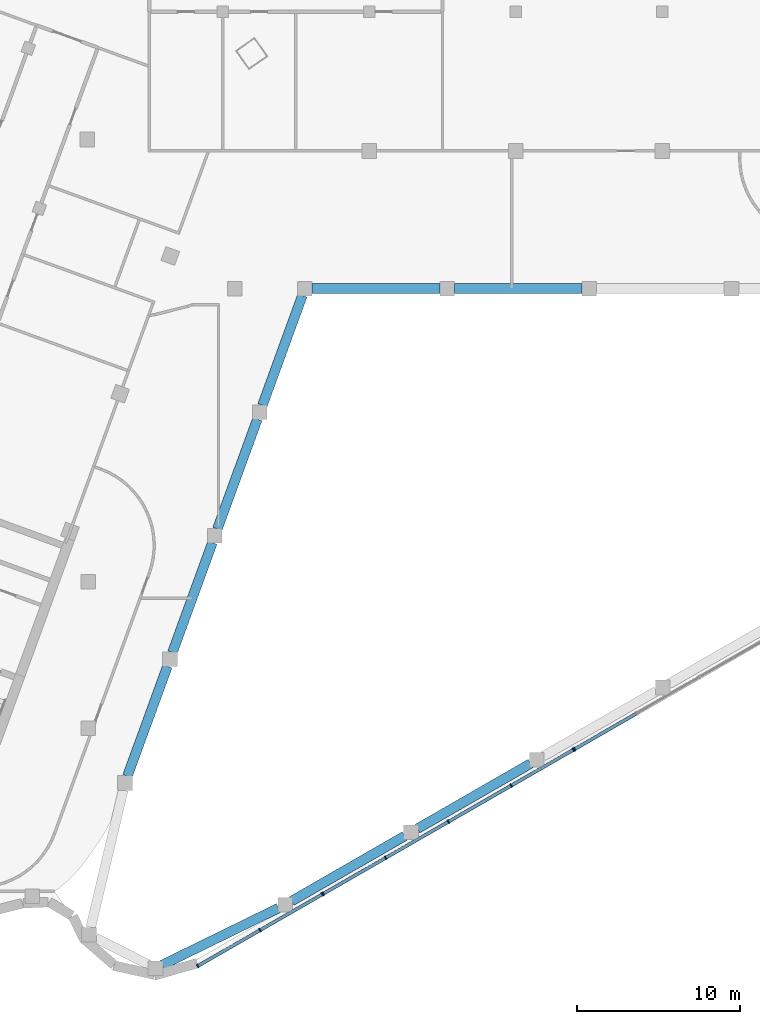
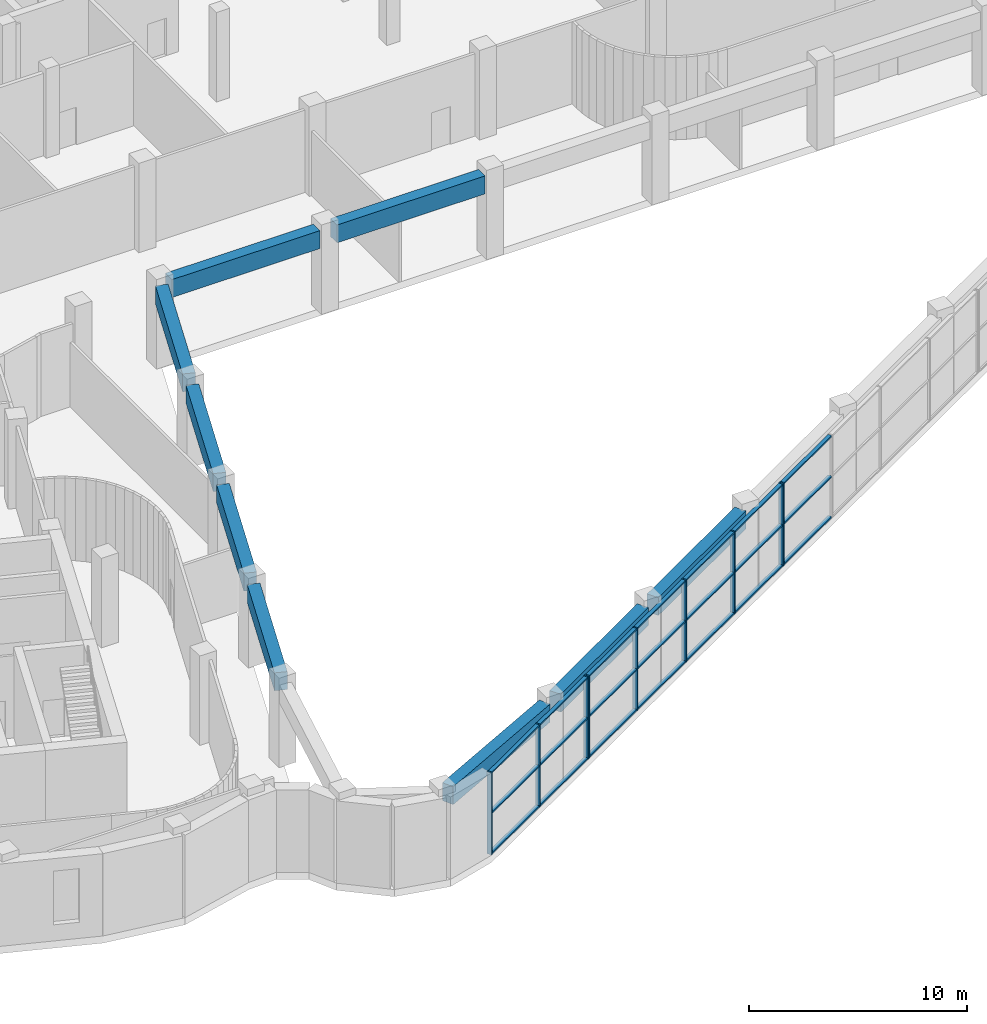
# One storey, part 3 of 25: 30 members, 9 beams, 3 elements without a shape of their own.
"""IFC4 building model written with IfcOpenShell, lengths in metres."""

from ifc_helpers import new_model, si_unit, direction, frame, origin, origin_2d, place, context, subcontext, project, spatial, rectangle, extrude, material, material_profile, profile_set, type_object, element, aggregate, save


model = new_model("IFC4")

# Units and contexts
model_context = context("Model", 3, precision=1e-05, world=origin(), true_north=direction((0.0, 1.0)))
body_context = subcontext(model_context, "Body", "Model", "MODEL_VIEW")
ifc_project = project(units=[si_unit("LENGTHUNIT", "METRE"), si_unit("AREAUNIT", "SQUARE_METRE"), si_unit("VOLUMEUNIT", "CUBIC_METRE"), si_unit("PLANEANGLEUNIT", "RADIAN"), si_unit("MASSUNIT", "GRAM", prefix="KILO")], contexts=[model_context])

# Site, building, storey
site_placement = place(None, origin())
site = spatial("IfcSite", under=ifc_project, at=site_placement, CompositionType="ELEMENT")
building_placement = place(site_placement, origin())
building = spatial("IfcBuilding", under=site, at=building_placement, Name="Skarvind Civic Tower", CompositionType="ELEMENT")
storey_placement = place(building_placement, frame((0.0, 0.0, 7.5)))
storey = spatial("IfcBuildingStorey", under=building, at=storey_placement, Name="L01", CompositionType="ELEMENT", Elevation=7.5)

# Curtain wall, member
ifc_material_1 = material(Name="Aluminium alloy 6063 and laminated glass", Category="aluminium")
curtain_wall_type = type_object("IfcCurtainWallType", Name="CW1 PUBLIC HALL GLAZING", PredefinedType="NOTDEFINED", material=ifc_material_1)
curtain_wall_1_placement = place(storey_placement, origin())
curtain_wall_1 = element("IfcCurtainWall", 1, at=curtain_wall_1_placement, inside=storey, type_object=curtain_wall_type, Name="PUBLIC SERVICE HALL GLAZING", PredefinedType="NOTDEFINED")
ifc_material_2 = material(Name="Aluminium alloy 6063", Category="aluminium")
ifc_material_profile_1 = material_profile(ifc_material_2, rectangle(XDim=0.239990234375, YDim=0.080078125, at=origin_2d()), Name="AL 80x240")
ifc_profile_set_1 = profile_set([ifc_material_profile_1], Name="Aluminium alloy 6063")
member_type_1 = type_object("IfcMemberType", Name="CW1 MULLION 80x240", PredefinedType="MULLION", material=ifc_profile_set_1)
member_1_placement = place(storey_placement, frame((75.8603515625, 80.729736328125, 0.0), z_axis=(0.0, 0.0, 1.0), x_axis=(0.498825416846, -0.866702488463, 0.0)))
member_1 = element("IfcMember", 2, at=member_1_placement, type_object=member_type_1, Name="CW1 mullion 5", PredefinedType="MULLION", context=body_context, shape_type="SweptSolid", body=[
    extrude(rectangle(XDim=0.239990234375, YDim=0.080078125, at=origin_2d()), origin(), (0.0, 0.0, 1.0), 4.60009765625),
])

# Curtain wall, members
curtain_wall_2_placement = place(storey_placement, origin())
curtain_wall_2 = element("IfcCurtainWall", 3, at=curtain_wall_2_placement, inside=storey, type_object=curtain_wall_type, Name="PUBLIC SERVICE HALL GLAZING", PredefinedType="NOTDEFINED")
member_2_placement = place(storey_placement, frame((75.791015625, 80.68994140625, 0.0), z_axis=(0.0, 0.0, 1.0), x_axis=(0.498825416846, -0.866702488463, 0.0)))
member_2 = element("IfcMember", 4, at=member_2_placement, type_object=member_type_1, Name="CW1 mullion 1", PredefinedType="MULLION", context=body_context, shape_type="SweptSolid", body=[
    extrude(rectangle(XDim=0.239990234375, YDim=0.080078125, at=origin_2d()), origin(), (0.0, 0.0, 1.0), 4.60009765625),
])
member_3_placement = place(storey_placement, frame((71.969970703125, 78.49072265625, 0.0), z_axis=(0.0, 0.0, 1.0), x_axis=(0.498825416846, -0.866702488463, 0.0)))
member_3 = element("IfcMember", 5, at=member_3_placement, type_object=member_type_1, Name="CW1 mullion 2", PredefinedType="MULLION", context=body_context, shape_type="SweptSolid", body=[
    extrude(rectangle(XDim=0.239990234375, YDim=0.080078125, at=origin_2d()), origin(), (0.0, 0.0, 1.0), 4.60009765625),
])
member_4_placement = place(storey_placement, frame((68.1142578125, 76.271484375, 0.0), z_axis=(0.0, 0.0, 1.0), x_axis=(0.498825416846, -0.866702488463, 0.0)))
member_4 = element("IfcMember", 6, at=member_4_placement, type_object=member_type_1, Name="CW1 mullion 3", PredefinedType="MULLION", context=body_context, shape_type="SweptSolid", body=[
    extrude(rectangle(XDim=0.239990234375, YDim=0.080078125, at=origin_2d()), origin(), (0.0, 0.0, 1.0), 4.60009765625),
])
member_5_placement = place(storey_placement, frame((64.258544921875, 74.052490234375, 0.0), z_axis=(0.0, 0.0, 1.0), x_axis=(0.498825416846, -0.866702488463, 0.0)))
member_5 = element("IfcMember", 7, at=member_5_placement, type_object=member_type_1, Name="CW1 mullion 4", PredefinedType="MULLION", context=body_context, shape_type="SweptSolid", body=[
    extrude(rectangle(XDim=0.239990234375, YDim=0.080078125, at=origin_2d()), origin(), (0.0, 0.0, 1.0), 4.60009765625),
])
member_6_placement = place(storey_placement, frame((60.4375, 71.853271484375, 0.0), z_axis=(0.0, 0.0, 1.0), x_axis=(0.498825416846, -0.866702488463, 0.0)))
member_6 = element("IfcMember", 8, at=member_6_placement, type_object=member_type_1, Name="CW1 mullion 5", PredefinedType="MULLION", context=body_context, shape_type="SweptSolid", body=[
    extrude(rectangle(XDim=0.239990234375, YDim=0.080078125, at=origin_2d()), origin(), (0.0, 0.0, 1.0), 4.60009765625),
])

curtain_wall_3_placement = place(storey_placement, origin())
curtain_wall_3 = element("IfcCurtainWall", 9, at=curtain_wall_3_placement, inside=storey, type_object=curtain_wall_type, Name="PUBLIC SERVICE HALL GLAZING", PredefinedType="NOTDEFINED")
member_7_placement = place(storey_placement, frame((60.3681640625, 71.813232421875, 0.0), z_axis=(0.0, 0.0, 1.0), x_axis=(0.498829638128, -0.866700058916, 0.0)))
member_7 = element("IfcMember", 10, at=member_7_placement, type_object=member_type_1, Name="CW1 mullion 1", PredefinedType="MULLION", context=body_context, shape_type="SweptSolid", body=[
    extrude(rectangle(XDim=0.239990234375, YDim=0.080078125, at=origin_2d()), origin(), (0.0, 0.0, 1.0), 4.60009765625),
])
member_8_placement = place(storey_placement, frame((56.547119140625, 69.6142578125, 0.0), z_axis=(0.0, 0.0, 1.0), x_axis=(0.498829638128, -0.866700058916, 0.0)))
member_8 = element("IfcMember", 11, at=member_8_placement, type_object=member_type_1, Name="CW1 mullion 2", PredefinedType="MULLION", context=body_context, shape_type="SweptSolid", body=[
    extrude(rectangle(XDim=0.239990234375, YDim=0.080078125, at=origin_2d()), origin(), (0.0, 0.0, 1.0), 4.60009765625),
])
member_9_placement = place(storey_placement, frame((52.72607421875, 67.4150390625, 0.0), z_axis=(0.0, 0.0, 1.0), x_axis=(0.498829638128, -0.866700058916, 0.0)))
member_9 = element("IfcMember", 12, at=member_9_placement, type_object=member_type_1, Name="CW1 mullion 3", PredefinedType="MULLION", context=body_context, shape_type="SweptSolid", body=[
    extrude(rectangle(XDim=0.239990234375, YDim=0.080078125, at=origin_2d()), origin(), (0.0, 0.0, 1.0), 4.60009765625),
])

# Member
ifc_material_profile_2 = material_profile(ifc_material_2, rectangle(XDim=0.199951171875, YDim=0.080078125, at=origin_2d()), Name="AL 80x200")
ifc_profile_set_2 = profile_set([ifc_material_profile_2], Name="Aluminium alloy 6063")
member_type_2 = type_object("IfcMemberType", Name="CW1 TRANSOM 80x200", PredefinedType="USERDEFINED", material=ifc_profile_set_2)
member_10_placement = place(storey_placement, frame((79.646728515625, 82.908935546875, 0.0400390625), z_axis=(-0.866711867477, -0.498809120581, 0.0), x_axis=(0.498809120581, -0.866711867477, 0.0)))
member_10 = element("IfcMember", 13, at=member_10_placement, type_object=member_type_2, Name="CW1 transom 4.1", ObjectType="TRANSOM", PredefinedType="USERDEFINED", context=body_context, shape_type="SweptSolid", body=[
    extrude(rectangle(XDim=0.199951171875, YDim=0.080078125, at=origin_2d()), origin(), (0.0, 0.0, 1.0), 4.32861328125),
])

member_11_placement = place(storey_placement, frame((79.646728515625, 82.908935546875, 2.300048828125), z_axis=(-0.866711867477, -0.498809120581, 0.0), x_axis=(0.498809120581, -0.866711867477, 0.0)))
member_11 = element("IfcMember", 14, at=member_11_placement, type_object=member_type_2, Name="CW1 transom 4.2", ObjectType="TRANSOM", PredefinedType="USERDEFINED", context=body_context, shape_type="SweptSolid", body=[
    extrude(rectangle(XDim=0.199951171875, YDim=0.080078125, at=origin_2d()), origin(), (0.0, 0.0, 1.0), 4.32861328125),
])

member_12_placement = place(storey_placement, frame((79.646728515625, 82.908935546875, 4.56005859375), z_axis=(-0.866711867477, -0.498809120581, 0.0), x_axis=(0.498809120581, -0.866711867477, 0.0)))
member_12 = element("IfcMember", 15, at=member_12_placement, type_object=member_type_2, Name="CW1 transom 4.3", ObjectType="TRANSOM", PredefinedType="USERDEFINED", context=body_context, shape_type="SweptSolid", body=[
    extrude(rectangle(XDim=0.199951171875, YDim=0.080078125, at=origin_2d()), origin(), (0.0, 0.0, 1.0), 4.32861328125),
])

aggregate(curtain_wall_1, [member_1, member_10, member_11, member_12])

member_13_placement = place(storey_placement, frame((75.75634765625, 80.669921875, 0.0400390625), z_axis=(-0.866711867477, -0.498809120581, 0.0), x_axis=(0.498809120581, -0.866711867477, 0.0)))
member_13 = element("IfcMember", 16, at=member_13_placement, type_object=member_type_2, Name="CW1 transom 1.1", ObjectType="TRANSOM", PredefinedType="USERDEFINED", context=body_context, shape_type="SweptSolid", body=[
    extrude(rectangle(XDim=0.199951171875, YDim=0.080078125, at=origin_2d()), origin(), (0.0, 0.0, 1.0), 4.32861328125),
])

member_14_placement = place(storey_placement, frame((75.75634765625, 80.669921875, 2.300048828125), z_axis=(-0.866711867477, -0.498809120581, 0.0), x_axis=(0.498809120581, -0.866711867477, 0.0)))
member_14 = element("IfcMember", 17, at=member_14_placement, type_object=member_type_2, Name="CW1 transom 1.2", ObjectType="TRANSOM", PredefinedType="USERDEFINED", context=body_context, shape_type="SweptSolid", body=[
    extrude(rectangle(XDim=0.199951171875, YDim=0.080078125, at=origin_2d()), origin(), (0.0, 0.0, 1.0), 4.32861328125),
])

member_15_placement = place(storey_placement, frame((75.75634765625, 80.669921875, 4.56005859375), z_axis=(-0.866711867477, -0.498809120581, 0.0), x_axis=(0.498809120581, -0.866711867477, 0.0)))
member_15 = element("IfcMember", 18, at=member_15_placement, type_object=member_type_2, Name="CW1 transom 1.3", ObjectType="TRANSOM", PredefinedType="USERDEFINED", context=body_context, shape_type="SweptSolid", body=[
    extrude(rectangle(XDim=0.199951171875, YDim=0.080078125, at=origin_2d()), origin(), (0.0, 0.0, 1.0), 4.32861328125),
])

member_16_placement = place(storey_placement, frame((71.935302734375, 78.470703125, 0.0400390625), z_axis=(-0.86670519184, -0.498820719735, 0.0), x_axis=(0.498820719735, -0.86670519184, 0.0)))
member_16 = element("IfcMember", 19, at=member_16_placement, type_object=member_type_2, Name="CW1 transom 2.1", ObjectType="TRANSOM", PredefinedType="USERDEFINED", context=body_context, shape_type="SweptSolid", body=[
    extrude(rectangle(XDim=0.199951171875, YDim=0.080078125, at=origin_2d()), origin(), (0.0, 0.0, 1.0), 4.36865234375),
])

member_17_placement = place(storey_placement, frame((71.935302734375, 78.470703125, 2.300048828125), z_axis=(-0.86670519184, -0.498820719735, 0.0), x_axis=(0.498820719735, -0.86670519184, 0.0)))
member_17 = element("IfcMember", 20, at=member_17_placement, type_object=member_type_2, Name="CW1 transom 2.2", ObjectType="TRANSOM", PredefinedType="USERDEFINED", context=body_context, shape_type="SweptSolid", body=[
    extrude(rectangle(XDim=0.199951171875, YDim=0.080078125, at=origin_2d()), origin(), (0.0, 0.0, 1.0), 4.36865234375),
])

member_18_placement = place(storey_placement, frame((71.935302734375, 78.470703125, 4.56005859375), z_axis=(-0.86670519184, -0.498820719735, 0.0), x_axis=(0.498820719735, -0.86670519184, 0.0)))
member_18 = element("IfcMember", 21, at=member_18_placement, type_object=member_type_2, Name="CW1 transom 2.3", ObjectType="TRANSOM", PredefinedType="USERDEFINED", context=body_context, shape_type="SweptSolid", body=[
    extrude(rectangle(XDim=0.199951171875, YDim=0.080078125, at=origin_2d()), origin(), (0.0, 0.0, 1.0), 4.36865234375),
])

member_19_placement = place(storey_placement, frame((68.07958984375, 76.251708984375, 0.0400390625), z_axis=(-0.866681031133, -0.498862696816, 0.0), x_axis=(0.498862696816, -0.866681031133, 0.0)))
member_19 = element("IfcMember", 22, at=member_19_placement, type_object=member_type_2, Name="CW1 transom 3.1", ObjectType="TRANSOM", PredefinedType="USERDEFINED", context=body_context, shape_type="SweptSolid", body=[
    extrude(rectangle(XDim=0.199951171875, YDim=0.080078125, at=origin_2d()), origin(), (0.0, 0.0, 1.0), 4.368896484375),
])

member_20_placement = place(storey_placement, frame((68.07958984375, 76.251708984375, 2.300048828125), z_axis=(-0.866681031133, -0.498862696816, 0.0), x_axis=(0.498862696816, -0.866681031133, 0.0)))
member_20 = element("IfcMember", 23, at=member_20_placement, type_object=member_type_2, Name="CW1 transom 3.2", ObjectType="TRANSOM", PredefinedType="USERDEFINED", context=body_context, shape_type="SweptSolid", body=[
    extrude(rectangle(XDim=0.199951171875, YDim=0.080078125, at=origin_2d()), origin(), (0.0, 0.0, 1.0), 4.368896484375),
])

member_21_placement = place(storey_placement, frame((68.07958984375, 76.251708984375, 4.56005859375), z_axis=(-0.866681031133, -0.498862696816, 0.0), x_axis=(0.498862696816, -0.866681031133, 0.0)))
member_21 = element("IfcMember", 24, at=member_21_placement, type_object=member_type_2, Name="CW1 transom 3.3", ObjectType="TRANSOM", PredefinedType="USERDEFINED", context=body_context, shape_type="SweptSolid", body=[
    extrude(rectangle(XDim=0.199951171875, YDim=0.080078125, at=origin_2d()), origin(), (0.0, 0.0, 1.0), 4.368896484375),
])

member_22_placement = place(storey_placement, frame((64.223876953125, 74.032470703125, 0.0400390625), z_axis=(-0.866711867477, -0.498809120581, 0.0), x_axis=(0.498809120581, -0.866711867477, 0.0)))
member_22 = element("IfcMember", 25, at=member_22_placement, type_object=member_type_2, Name="CW1 transom 4.1", ObjectType="TRANSOM", PredefinedType="USERDEFINED", context=body_context, shape_type="SweptSolid", body=[
    extrude(rectangle(XDim=0.199951171875, YDim=0.080078125, at=origin_2d()), origin(), (0.0, 0.0, 1.0), 4.32861328125),
])

member_23_placement = place(storey_placement, frame((64.223876953125, 74.032470703125, 2.300048828125), z_axis=(-0.866711867477, -0.498809120581, 0.0), x_axis=(0.498809120581, -0.866711867477, 0.0)))
member_23 = element("IfcMember", 26, at=member_23_placement, type_object=member_type_2, Name="CW1 transom 4.2", ObjectType="TRANSOM", PredefinedType="USERDEFINED", context=body_context, shape_type="SweptSolid", body=[
    extrude(rectangle(XDim=0.199951171875, YDim=0.080078125, at=origin_2d()), origin(), (0.0, 0.0, 1.0), 4.32861328125),
])

member_24_placement = place(storey_placement, frame((64.223876953125, 74.032470703125, 4.56005859375), z_axis=(-0.866711867477, -0.498809120581, 0.0), x_axis=(0.498809120581, -0.866711867477, 0.0)))
member_24 = element("IfcMember", 27, at=member_24_placement, type_object=member_type_2, Name="CW1 transom 4.3", ObjectType="TRANSOM", PredefinedType="USERDEFINED", context=body_context, shape_type="SweptSolid", body=[
    extrude(rectangle(XDim=0.199951171875, YDim=0.080078125, at=origin_2d()), origin(), (0.0, 0.0, 1.0), 4.32861328125),
])

aggregate(curtain_wall_2, [member_2, member_3, member_4, member_5, member_6, member_13, member_14, member_15, member_16, member_17, member_18, member_19, member_20, member_21, member_22, member_23, member_24])

member_25_placement = place(storey_placement, frame((60.33349609375, 71.79345703125, 0.0400390625), z_axis=(-0.866687483698, -0.498851486517, 0.0), x_axis=(0.498851486517, -0.866687483698, 0.0)))
member_25 = element("IfcMember", 28, at=member_25_placement, type_object=member_type_2, Name="CW1 transom 1.1", ObjectType="TRANSOM", PredefinedType="USERDEFINED", context=body_context, shape_type="SweptSolid", body=[
    extrude(rectangle(XDim=0.199951171875, YDim=0.080078125, at=origin_2d()), origin(), (0.0, 0.0, 1.0), 4.328857421875),
])

member_26_placement = place(storey_placement, frame((60.33349609375, 71.79345703125, 2.300048828125), z_axis=(-0.866687483698, -0.498851486517, 0.0), x_axis=(0.498851486517, -0.866687483698, 0.0)))
member_26 = element("IfcMember", 29, at=member_26_placement, type_object=member_type_2, Name="CW1 transom 1.2", ObjectType="TRANSOM", PredefinedType="USERDEFINED", context=body_context, shape_type="SweptSolid", body=[
    extrude(rectangle(XDim=0.199951171875, YDim=0.080078125, at=origin_2d()), origin(), (0.0, 0.0, 1.0), 4.328857421875),
])

member_27_placement = place(storey_placement, frame((60.33349609375, 71.79345703125, 4.56005859375), z_axis=(-0.866687483698, -0.498851486517, 0.0), x_axis=(0.498851486517, -0.866687483698, 0.0)))
member_27 = element("IfcMember", 30, at=member_27_placement, type_object=member_type_2, Name="CW1 transom 1.3", ObjectType="TRANSOM", PredefinedType="USERDEFINED", context=body_context, shape_type="SweptSolid", body=[
    extrude(rectangle(XDim=0.199951171875, YDim=0.080078125, at=origin_2d()), origin(), (0.0, 0.0, 1.0), 4.328857421875),
])

member_28_placement = place(storey_placement, frame((56.512451171875, 69.59423828125, 0.0400390625), z_axis=(-0.866687483698, -0.498851486517, 0.0), x_axis=(0.498851486517, -0.866687483698, 0.0)))
member_28 = element("IfcMember", 31, at=member_28_placement, type_object=member_type_2, Name="CW1 transom 2.1", ObjectType="TRANSOM", PredefinedType="USERDEFINED", context=body_context, shape_type="SweptSolid", body=[
    extrude(rectangle(XDim=0.199951171875, YDim=0.080078125, at=origin_2d()), origin(), (0.0, 0.0, 1.0), 4.328857421875),
])

member_29_placement = place(storey_placement, frame((56.512451171875, 69.59423828125, 2.300048828125), z_axis=(-0.866687483698, -0.498851486517, 0.0), x_axis=(0.498851486517, -0.866687483698, 0.0)))
member_29 = element("IfcMember", 32, at=member_29_placement, type_object=member_type_2, Name="CW1 transom 2.2", ObjectType="TRANSOM", PredefinedType="USERDEFINED", context=body_context, shape_type="SweptSolid", body=[
    extrude(rectangle(XDim=0.199951171875, YDim=0.080078125, at=origin_2d()), origin(), (0.0, 0.0, 1.0), 4.328857421875),
])

member_30_placement = place(storey_placement, frame((56.512451171875, 69.59423828125, 4.56005859375), z_axis=(-0.866687483698, -0.498851486517, 0.0), x_axis=(0.498851486517, -0.866687483698, 0.0)))
member_30 = element("IfcMember", 33, at=member_30_placement, type_object=member_type_2, Name="CW1 transom 2.3", ObjectType="TRANSOM", PredefinedType="USERDEFINED", context=body_context, shape_type="SweptSolid", body=[
    extrude(rectangle(XDim=0.199951171875, YDim=0.080078125, at=origin_2d()), origin(), (0.0, 0.0, 1.0), 4.328857421875),
])

aggregate(curtain_wall_3, [member_7, member_8, member_9, member_25, member_26, member_27, member_28, member_29, member_30])

# Beams
ifc_material_3 = material(Name="Concrete C60", Category="concrete")
ifc_material_profile_3 = material_profile(ifc_material_3, rectangle(XDim=0.60009765625, YDim=1.0, at=origin_2d()), Name="RC-600x1000")
ifc_profile_set_3 = profile_set([ifc_material_profile_3], Name="Concrete C60")
beam_type = type_object("IfcBeamType", Name="Hall ring beam RC-600x1000 C60", PredefinedType="BEAM", material=ifc_profile_set_3)
beam_1_placement = place(storey_placement, frame((50.864501953125, 85.81298828125, 4.10009765625), z_axis=(-0.341997129295, -0.939700996889, 0.0), x_axis=(0.939700996889, -0.341997129295, 0.0)))
element("IfcBeam", 34, at=beam_1_placement, inside=storey, type_object=beam_type, Name="Hall ring beam L02 1", PredefinedType="BEAM", context=body_context, shape_type="SweptSolid", body=[
    extrude(rectangle(XDim=0.60009765625, YDim=1.0, at=origin_2d()), origin(), (0.0, 0.0, 1.0), 7.175048828125),
])
beam_2_placement = place(storey_placement, frame((50.539794921875, 67.47509765625, 4.10009765625), z_axis=(0.898131682958, 0.439726596953, 0.0), x_axis=(-0.439726596953, 0.898131682958, 0.0)))
element("IfcBeam", 35, at=beam_2_placement, inside=storey, type_object=beam_type, Name="Hall ring beam L02 4", PredefinedType="BEAM", context=body_context, shape_type="SweptSolid", body=[
    extrude(rectangle(XDim=0.60009765625, YDim=1.0, at=origin_2d()), origin(), (0.0, 0.0, 1.0), 7.9599609375),
])
for number, where, z_axis, x_axis, name in (
    (36, (58.483154296875, 71.397705078125, 4.10009765625), (0.866703485632, 0.498823684275, 0.0), (-0.498823684275, 0.866703485632, 0.0), "Hall ring beam L02 5"),
    (37, (66.20849609375, 75.843994140625, 4.10009765625), (0.866703485632, 0.498823684275, 0.0), (-0.498823684275, 0.866703485632, 0.0), "Hall ring beam L02 6"),
):
    element("IfcBeam", number, at=place(storey_placement, frame(where, z_axis=z_axis, x_axis=x_axis)), inside=storey, type_object=beam_type, Name=name, PredefinedType="BEAM", context=body_context, shape_type="SweptSolid", body=[
        extrude(rectangle(XDim=0.60009765625, YDim=1.0, at=origin_2d()), origin(), (0.0, 0.0, 1.0), 8.013427734375),
    ])
beam_3_placement = place(storey_placement, frame((76.312255859375, 109.0, 4.10009765625), z_axis=(-1.0, 0.0, 0.0), x_axis=(0.0, -1.0, 0.0)))
element("IfcBeam", 38, at=beam_3_placement, inside=storey, type_object=beam_type, Name="Hall ring beam L02 18", PredefinedType="BEAM", context=body_context, shape_type="SweptSolid", body=[
    extrude(rectangle(XDim=0.60009765625, YDim=1.0, at=origin_2d()), origin(), (0.0, 0.0, 1.0), 7.8291015625),
])
beam_4_placement = place(storey_placement, frame((67.583251953125, 109.0, 4.10009765625), z_axis=(-1.0, 0.0, 0.0), x_axis=(0.0, -1.0, 0.0)))
element("IfcBeam", 39, at=beam_4_placement, inside=storey, type_object=beam_type, Name="Hall ring beam L02 19", PredefinedType="BEAM", context=body_context, shape_type="SweptSolid", body=[
    extrude(rectangle(XDim=0.60009765625, YDim=1.0, at=origin_2d()), origin(), (0.0, 0.0, 1.0), 7.829345703125),
])
for number, where, z_axis, x_axis, name in (
    (40, (59.150146484375, 108.5771484375, 4.10009765625), (-0.342027175178, -0.939690061371, 0.0), (0.939690061371, -0.342027175178, 0.0), "Hall ring beam L02 20"),
    (41, (56.38818359375, 100.989013671875, 4.10009765625), (-0.342038111376, -0.939686080756, 0.0), (0.939686080756, -0.342038111376, 0.0), "Hall ring beam L02 21"),
    (42, (53.62646484375, 93.401123046875, 4.10009765625), (-0.342027175178, -0.939690061371, 0.0), (0.939690061371, -0.342027175178, 0.0), "Hall ring beam L02 22"),
):
    element("IfcBeam", number, at=place(storey_placement, frame(where, z_axis=z_axis, x_axis=x_axis)), inside=storey, type_object=beam_type, Name=name, PredefinedType="BEAM", context=body_context, shape_type="SweptSolid", body=[
        extrude(rectangle(XDim=0.60009765625, YDim=1.0, at=origin_2d()), origin(), (0.0, 0.0, 1.0), 7.175048828125),
    ])

save(model, "model.ifc")
